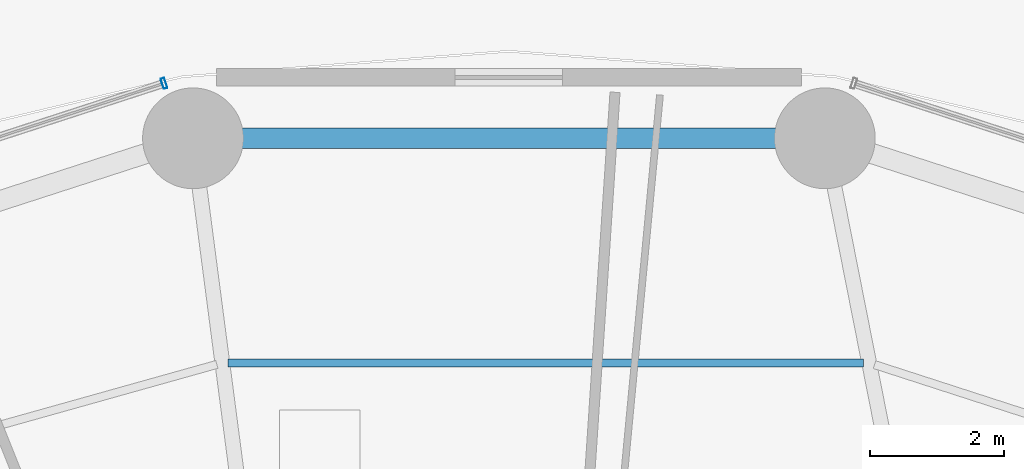
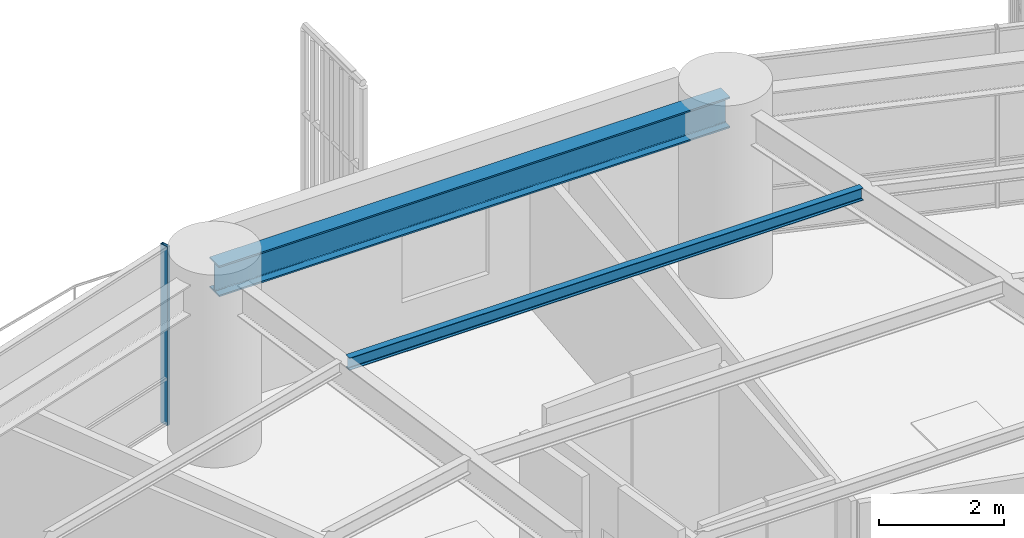
# One storey, part 18 of 33: 2 beams, 1 member, 1 element without a shape of its own.
"""IFC4 building model written with IfcOpenShell, lengths in metres."""

from ifc_helpers import new_model, si_unit, direction, frame, origin, origin_2d, place, context, subcontext, project, spatial, hollow_rectangle, i_section, extrude, material, layer, layer_set, material_profile, profile_set, type_object, element, aggregate, save


model = new_model("IFC4")

# Units and contexts
model_context = context("Model", 3, precision=1e-05, world=origin(), true_north=direction((0.0, 1.0)))
body_context = subcontext(model_context, "Body", "Model", "MODEL_VIEW")
ifc_project = project(units=[si_unit("LENGTHUNIT", "METRE"), si_unit("AREAUNIT", "SQUARE_METRE"), si_unit("VOLUMEUNIT", "CUBIC_METRE"), si_unit("PLANEANGLEUNIT", "RADIAN"), si_unit("MASSUNIT", "GRAM", prefix="KILO")], contexts=[model_context])

# Site, building, storey
site_placement = place(None, origin())
site = spatial("IfcSite", under=ifc_project, at=site_placement, CompositionType="ELEMENT")
building_placement = place(site_placement, origin())
building = spatial("IfcBuilding", under=site, at=building_placement, Name="Kelanora Arch Commons", CompositionType="ELEMENT")
storey_placement = place(building_placement, frame((0.0, 0.0, 41.25)))
storey = spatial("IfcBuildingStorey", under=building, at=storey_placement, Name="L10", CompositionType="ELEMENT", Elevation=41.25)

# Beams
ifc_material_1 = material(Name="Steel S355", Category="steel")
ifc_material_profile_1 = material_profile(ifc_material_1, i_section(OverallWidth=0.1201171875, OverallDepth=0.239990234375, WebThickness=0.006103515625, FlangeThickness=0.009765625, FilletRadius=0.014892578125, at=origin_2d()), Name="IPE240")
ifc_profile_set_1 = profile_set([ifc_material_profile_1], Name="Steel S355")
beam_type_1 = type_object("IfcBeamType", Name="BM-JST-02", PredefinedType="JOIST", material=ifc_profile_set_1)
beam_1_placement = place(storey_placement, frame((79.27685546875, 78.371337890625, 3.3701171875), z_axis=(-1.0, 0.0, 0.0), x_axis=(0.0, -1.0, 0.0)))
element("IfcBeam", 1, at=beam_1_placement, inside=storey, type_object=beam_type_1, Name="Secondary Chord Joist BJC-08 L10", PredefinedType="JOIST", context=body_context, shape_type="SweptSolid", body=[
    extrude(i_section(OverallWidth=0.1201171875, OverallDepth=0.239990234375, WebThickness=0.006103515625, FlangeThickness=0.009765625, FilletRadius=0.014892578125, at=origin_2d()), origin(), (0.0, 0.0, 1.0), 9.457763671875),
])
ifc_material_profile_2 = material_profile(ifc_material_1, i_section(OverallWidth=0.300048828125, OverallDepth=0.60009765625, WebThickness=0.015380859375, FlangeThickness=0.030029296875, FilletRadius=0.027099609375, at=origin_2d()), Name="HEB600")
ifc_profile_set_2 = profile_set([ifc_material_profile_2], Name="Steel S355")
beam_type_2 = type_object("IfcBeamType", Name="BM-SPN-Z1", PredefinedType="SPANDREL", material=ifc_profile_set_2)
beam_2_placement = place(storey_placement, frame((78.702392578125, 81.714111328125, 3.18994140625), z_axis=(-1.0, 0.0, 0.0), x_axis=(0.0, -1.0, 0.0)))
element("IfcBeam", 2, at=beam_2_placement, inside=storey, type_object=beam_type_2, Name="Perimeter Spandrel Beam BS-08 L10", PredefinedType="SPANDREL", context=body_context, shape_type="SweptSolid", body=[
    extrude(i_section(OverallWidth=0.300048828125, OverallDepth=0.60009765625, WebThickness=0.015380859375, FlangeThickness=0.030029296875, FilletRadius=0.027099609375, at=origin_2d()), origin(), (0.0, 0.0, 1.0), 9.40478515625),
])

# Curtain wall, member
ifc_material_2 = material(Name="Terracotta ceramic-fritted low-E glass and aluminium", Category="masonry")
ifc_layer = layer(ifc_material_2, 0.159912109375)
ifc_layer_set = layer_set([ifc_layer], Name="Terracotta ceramic-fritted low-E glass and aluminium")
curtain_wall_type = type_object("IfcCurtainWallType", Name="CW-SYS-01", PredefinedType="NOTDEFINED", material=ifc_layer_set)
curtain_wall_placement = place(storey_placement, origin())
curtain_wall = element("IfcCurtainWall", 3, at=curtain_wall_placement, inside=storey, type_object=curtain_wall_type, Name="Unitised Curtain Wall L10-B05", PredefinedType="NOTDEFINED")
ifc_material_3 = material(Name="Powder-coated aluminium terracotta", Category="masonry")
ifc_material_profile_3 = material_profile(ifc_material_3, hollow_rectangle(XDim=0.159912109375, YDim=0.06005859375, WallThickness=0.0048828125, InnerFilletRadius=0.0048828125, OuterFilletRadius=0.010009765625, at=origin_2d()), Name="CWM160x60")
ifc_profile_set_3 = profile_set([ifc_material_profile_3], Name="Powder-coated aluminium terracotta")
member_type = type_object("IfcMemberType", Name="CWM-STD", PredefinedType="MULLION", material=ifc_profile_set_3)
member_placement = place(storey_placement, frame((68.865478515625, 82.53173828125, 0.0), z_axis=(0.0, 0.0, 1.0), x_axis=(0.30905758454, -0.951043326793, 0.0)))
member = element("IfcMember", 4, at=member_placement, type_object=member_type, Name="CW-01 mullion 1", PredefinedType="MULLION", context=body_context, shape_type="SweptSolid", body=[
    extrude(hollow_rectangle(XDim=0.159912109375, YDim=0.06005859375, WallThickness=0.0048828125, InnerFilletRadius=0.0048828125, OuterFilletRadius=0.010009765625, at=origin_2d()), origin(), (0.0, 0.0, 1.0), 3.47509765625),
])
aggregate(curtain_wall, [member])

save(model, "model.ifc")
